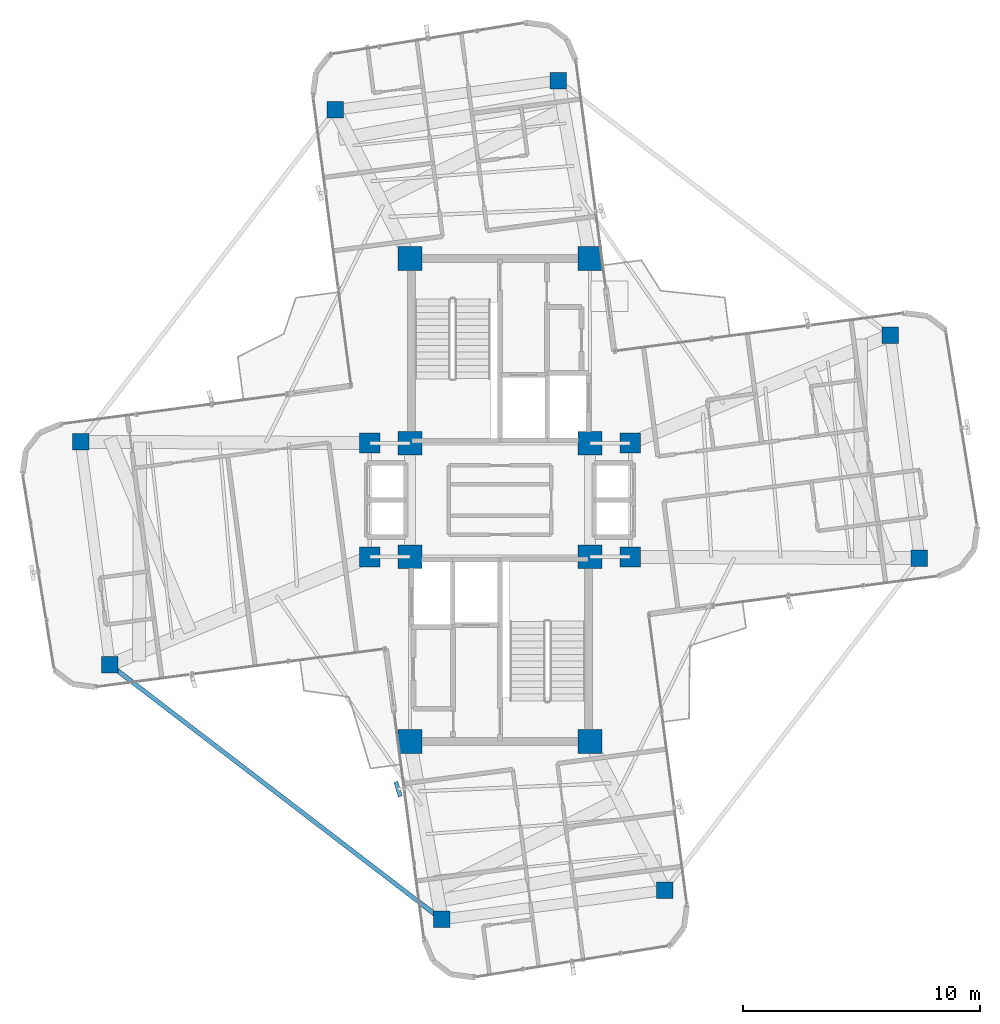
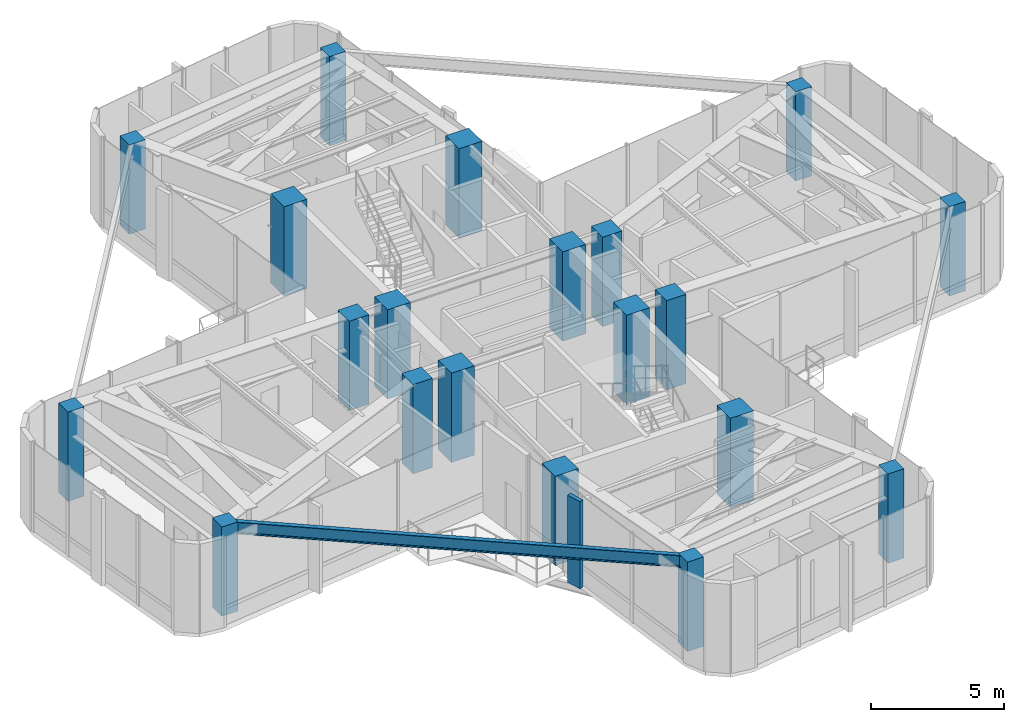
# One storey, part 1 of 18: 20 columns, 1 beam, 1 member, 1 element without a shape of its own.
"""IFC4 building model written with IfcOpenShell, lengths in metres."""

from ifc_helpers import new_model, si_unit, direction, frame, origin, origin_2d, place, context, subcontext, project, spatial, rectangle, i_section, extrude, source, transform, mapped, material, material_profile, profile_set, type_object, element, aggregate, save


model = new_model("IFC4")

# Units and contexts
model_context = context("Model", 3, precision=1e-05, world=origin(), true_north=direction((0.0, 1.0)))
body_context = subcontext(model_context, "Body", "Model", "MODEL_VIEW")
ifc_project = project(units=[si_unit("LENGTHUNIT", "METRE"), si_unit("AREAUNIT", "SQUARE_METRE"), si_unit("VOLUMEUNIT", "CUBIC_METRE"), si_unit("PLANEANGLEUNIT", "RADIAN"), si_unit("MASSUNIT", "GRAM", prefix="KILO")], contexts=[model_context])

# Site, building, storey
site_placement = place(None, origin())
site = spatial("IfcSite", under=ifc_project, at=site_placement, CompositionType="ELEMENT")
building_placement = place(site_placement, origin())
building = spatial("IfcBuilding", under=site, at=building_placement, Name="Sahyath Konkavel Grand Hotel", CompositionType="ELEMENT")
storey_placement = place(building_placement, frame((0.0, 0.0, 275.800048828125)))
storey = spatial("IfcBuildingStorey", under=building, at=storey_placement, Name="L77", CompositionType="ELEMENT", Elevation=275.800048828125)

# Columns
ifc_material_1 = material(Name="Concrete C50/60", Category="concrete")
ifc_material_profile_1 = material_profile(ifc_material_1, rectangle(XDim=1.0, YDim=1.0, at=origin_2d()), Name="RC 1000x1000")
ifc_profile_set_1 = profile_set([ifc_material_profile_1], Name="Concrete C50/60")
column_type_1 = type_object("IfcColumnType", Name="COL-RC1000", PredefinedType="COLUMN", material=ifc_profile_set_1)
shared_shape_1 = source(origin(), body_context, "Body", "SweptSolid", [
    extrude(rectangle(XDim=1.0, YDim=1.0, at=origin_2d()), origin(), (0.0, 0.0, 1.0), 4.099853515625),
])
for number, where, z_axis, x_axis, name in (
    (1, (-3.800048828125, 2.39990234375, 0.0), (0.0, 0.0, 1.0), (1.0, 0.0, 0.0), "L77 Core Boundary Column NC-SW"),
    (2, (3.800048828125, 2.39990234375, 0.0), (0.0, 0.0, 1.0), (1.0, 0.0, 0.0), "L77 Core Boundary Column NC-SE"),
    (3, (-3.800048828125, 10.199951171875, 0.0), (0.0, 0.0, 1.0), (1.0, 0.0, 0.0), "L77 Core Boundary Column NC-NW"),
    (4, (3.800048828125, 10.199951171875, 0.0), (0.0, 0.0, 1.0), (1.0, 0.0, 0.0), "L77 Core Boundary Column NC-NE"),
    (5, (-3.800048828125, -2.39990234375, 0.0), (0.0, 0.0, 1.0), (1.0, 0.0, 0.0), "L77 Core Boundary Column SC-NW"),
    (6, (3.800048828125, -2.39990234375, 0.0), (0.0, 0.0, 1.0), (1.0, 0.0, 0.0), "L77 Core Boundary Column SC-NE"),
    (7, (-3.800048828125, -10.199951171875, 0.0), (0.0, 0.0, 1.0), (1.0, 0.0, 0.0), "L77 Core Boundary Column SC-SW"),
    (8, (3.800048828125, -10.199951171875, 0.0), (0.0, 0.0, 1.0), (1.0, 0.0, 0.0), "L77 Core Boundary Column SC-SE"),
):
    element("IfcColumn", number, at=place(storey_placement, frame(where, z_axis=z_axis, x_axis=x_axis)), inside=storey, type_object=column_type_1, Name=name, PredefinedType="COLUMN", context=body_context, shape_type="MappedRepresentation", body=[
        mapped(shared_shape_1, transform((0.0, 0.0, 0.0), scale=1.0)),
    ])
ifc_material_2 = material(Name="Concrete C40/50", Category="concrete")
ifc_material_profile_2 = material_profile(ifc_material_2, rectangle(XDim=0.85009765625, YDim=0.85009765625, at=origin_2d()), Name="RC 850x850")
ifc_profile_set_2 = profile_set([ifc_material_profile_2], Name="Concrete C40/50")
column_type_2 = type_object("IfcColumnType", Name="COL-RC850", PredefinedType="COLUMN", material=ifc_profile_set_2)
shared_shape_2 = source(origin(), body_context, "Body", "SweptSolid", [
    extrude(rectangle(XDim=0.85009765625, YDim=0.85009765625, at=origin_2d()), origin(), (0.0, 0.0, 1.0), 4.099853515625),
])
for number, where, z_axis, x_axis, name in (
    (9, (5.5, 2.39990234375, 0.0), (0.0, 0.0, 1.0), (1.0, 0.0, 0.0), "L77 Central Spine Column HB-NE"),
    (10, (-5.5, 2.39990234375, 0.0), (0.0, 0.0, 1.0), (1.0, 0.0, 0.0), "L77 Central Spine Column HB-NW"),
    (11, (5.5, -2.39990234375, 0.0), (0.0, 0.0, 1.0), (1.0, 0.0, 0.0), "L77 Central Spine Column HB-SE"),
    (12, (-5.5, -2.39990234375, 0.0), (0.0, 0.0, 1.0), (1.0, 0.0, 0.0), "L77 Central Spine Column HB-SW"),
):
    element("IfcColumn", number, at=place(storey_placement, frame(where, z_axis=z_axis, x_axis=x_axis)), inside=storey, type_object=column_type_2, Name=name, PredefinedType="COLUMN", context=body_context, shape_type="MappedRepresentation", body=[
        mapped(shared_shape_2, transform((0.0, 0.0, 0.0), scale=1.0)),
    ])
ifc_material_profile_3 = material_profile(ifc_material_2, rectangle(XDim=0.699951171875, YDim=0.699951171875, at=origin_2d()), Name="RC 700x700")
ifc_profile_set_3 = profile_set([ifc_material_profile_3], Name="Concrete C40/50")
column_type_3 = type_object("IfcColumnType", Name="COL-RC700", PredefinedType="COLUMN", material=ifc_profile_set_3)
shared_shape_3 = source(origin(), body_context, "Body", "SweptSolid", [
    extrude(rectangle(XDim=0.699951171875, YDim=0.699951171875, at=origin_2d()), origin(), (0.0, 0.0, 1.0), 4.099853515625),
])
for number, where, z_axis, x_axis, name in (
    (13, (17.71240234375, -2.458984375, 0.0), (0.0, 0.0, 1.0), (1.0, 0.0, 0.0), "L77 Cruciform Wing Column WC-EA"),
    (14, (16.472412109375, 6.959716796875, 0.0), (0.0, 0.0, 1.0), (1.0, 0.0, 0.0), "L77 Cruciform Wing Column WC-EB"),
    (15, (2.458984375, 17.71240234375, 0.0), (0.0, 0.0, 1.0), (1.0, 0.0, 0.0), "L77 Cruciform Wing Column WC-NA"),
    (16, (-6.959716796875, 16.472412109375, 0.0), (0.0, 0.0, 1.0), (1.0, 0.0, 0.0), "L77 Cruciform Wing Column WC-NB"),
    (17, (-17.71240234375, 2.458984375, 0.0), (0.0, 0.0, 1.0), (1.0, 0.0, 0.0), "L77 Cruciform Wing Column WC-WA"),
    (18, (-16.472412109375, -6.959716796875, 0.0), (0.0, 0.0, 1.0), (1.0, 0.0, 0.0), "L77 Cruciform Wing Column WC-WB"),
    (19, (-2.458984375, -17.71240234375, 0.0), (0.0, 0.0, 1.0), (1.0, 0.0, 0.0), "L77 Cruciform Wing Column WC-SA"),
    (20, (6.959716796875, -16.472412109375, 0.0), (0.0, 0.0, 1.0), (1.0, 0.0, 0.0), "L77 Cruciform Wing Column WC-SB"),
):
    element("IfcColumn", number, at=place(storey_placement, frame(where, z_axis=z_axis, x_axis=x_axis)), inside=storey, type_object=column_type_3, Name=name, PredefinedType="COLUMN", context=body_context, shape_type="MappedRepresentation", body=[
        mapped(shared_shape_3, transform((0.0, 0.0, 0.0), scale=1.0)),
    ])

# Beam
ifc_material_3 = material(Name="Steel E350", Category="steel")
ifc_material_profile_4 = material_profile(ifc_material_3, i_section(OverallWidth=0.18994140625, OverallDepth=0.550048828125, WebThickness=0.01123046875, FlangeThickness=0.019287109375, FilletRadius=0.01806640625, at=origin_2d()), Name="ISMB 550")
ifc_profile_set_4 = profile_set([ifc_material_profile_4], Name="Steel E350")
beam_type = type_object("IfcBeamType", Name="BM-ISMB550", PredefinedType="BEAM", material=ifc_profile_set_4)
shared_shape_4 = source(origin(), body_context, "Body", "SweptSolid", [
    extrude(i_section(OverallWidth=0.18994140625, OverallDepth=0.550048828125, WebThickness=0.01123046875, FlangeThickness=0.019287109375, FilletRadius=0.01806640625, at=origin_2d()), origin(), (0.0, 0.0, 1.0), 17.663330078125),
])
beam_placement = place(storey_placement, frame((-16.472412109375, -6.959716796875, 3.824951171875), z_axis=(0.793358692504, -0.608754453805, 0.0), x_axis=(0.608754453805, 0.793358692504, 0.0)))
element("IfcBeam", 21, at=beam_placement, inside=storey, type_object=beam_type, Name="L77 Re-Entrant Tie Beam SW", PredefinedType="BEAM", context=body_context, shape_type="MappedRepresentation", body=[
    mapped(shared_shape_4, transform((0.0, 0.0, 0.0), scale=1.0)),
])

# Curtain wall, member
ifc_material_4 = material(Name="Anodised Bronze Aluminium & Low-E Glazing", Category="aluminium")
curtain_wall_type = type_object("IfcCurtainWallType", Name="CW-ZONE4", PredefinedType="NOTDEFINED", material=ifc_material_4)
curtain_wall_placement = place(storey_placement, origin())
curtain_wall = element("IfcCurtainWall", 22, at=curtain_wall_placement, inside=storey, type_object=curtain_wall_type, Name="L77 Unitised Curtain Wall F24", PredefinedType="NOTDEFINED")
ifc_material_5 = material(Name="Warm Buff Sandstone Cladding on Concrete C50/60", Category="masonry")
ifc_material_profile_5 = material_profile(ifc_material_5, rectangle(XDim=0.179931640625, YDim=0.64990234375, at=origin_2d()), Name="FIN 180x650")
ifc_profile_set_5 = profile_set([ifc_material_profile_5], Name="Warm Buff Sandstone Cladding on Concrete C50/60")
member_type = type_object("IfcMemberType", Name="FIN-SANDSTONE-650", PredefinedType="MULLION", material=ifc_profile_set_5)
shared_shape_5 = source(origin(), body_context, "Body", "SweptSolid", [
    extrude(rectangle(XDim=0.179931640625, YDim=0.64990234375, at=origin_2d()), origin(), (0.0, 0.0, 1.0), 4.0),
])
member_placement = place(storey_placement, frame((-4.30322265625, -12.20947265625, 0.050048828125), z_axis=(0.0, 0.0, 1.0), x_axis=(0.956610402488, 0.291370104596, 0.0)))
member = element("IfcMember", 23, at=member_placement, type_object=member_type, Name="L77 Sandstone Vertical Solar Fin FIN F24-1", PredefinedType="MULLION", context=body_context, shape_type="MappedRepresentation", body=[
    mapped(shared_shape_5, transform((0.0, 0.0, 0.0), scale=1.0)),
])
aggregate(curtain_wall, [member])

save(model, "model.ifc")
